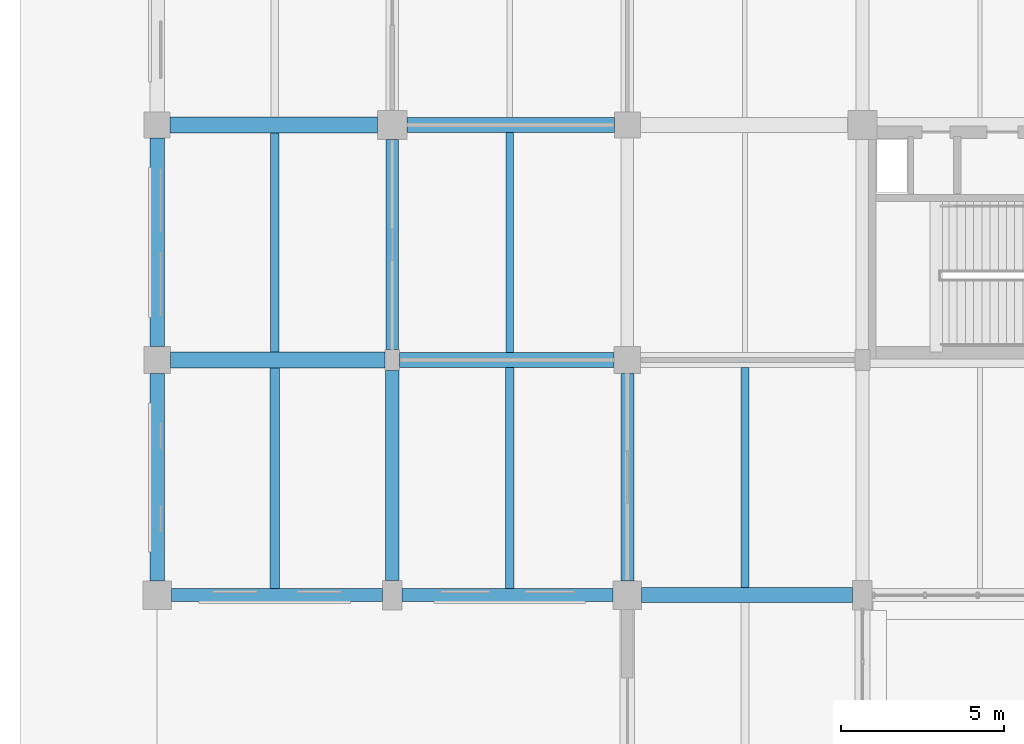
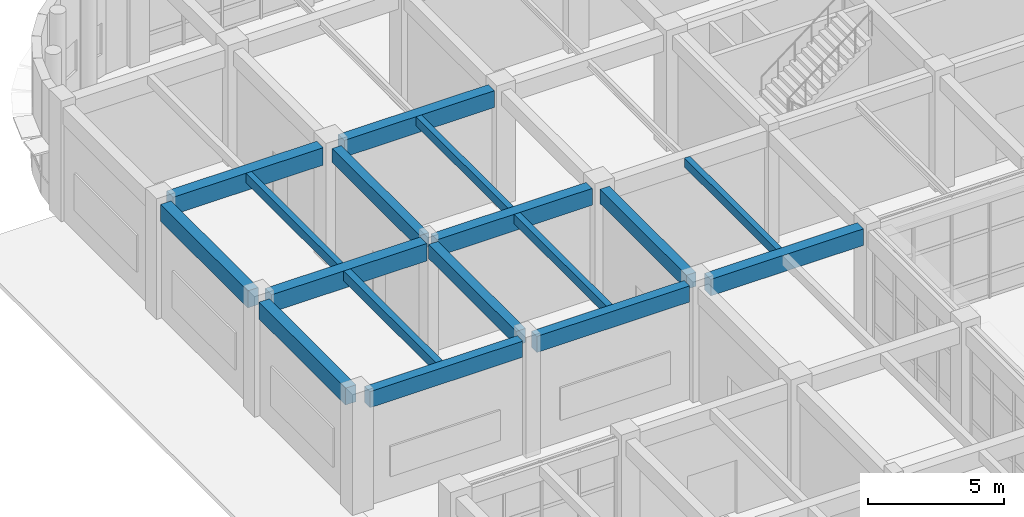
# One storey, part 53 of 160: 17 beams.
"""IFC4 building model written with IfcOpenShell, lengths in metres."""

from ifc_helpers import new_model, si_unit, direction, frame, origin, origin_2d, place, context, subcontext, project, spatial, rectangle, extrude, material, material_profile, profile_set, type_object, element, save


model = new_model("IFC4")

# Units and contexts
model_context = context("Model", 3, precision=1e-05, world=origin(), true_north=direction((0.0, 1.0)))
body_context = subcontext(model_context, "Body", "Model", "MODEL_VIEW")
ifc_project = project(units=[si_unit("LENGTHUNIT", "METRE"), si_unit("AREAUNIT", "SQUARE_METRE"), si_unit("VOLUMEUNIT", "CUBIC_METRE"), si_unit("PLANEANGLEUNIT", "RADIAN"), si_unit("MASSUNIT", "GRAM", prefix="KILO")], contexts=[model_context])

# Site, building, storey
site_placement = place(None, origin())
site = spatial("IfcSite", under=ifc_project, at=site_placement, CompositionType="ELEMENT")
building_placement = place(site_placement, origin())
building = spatial("IfcBuilding", under=site, at=building_placement, Name="Thalmaran Polytechnic", CompositionType="ELEMENT")
storey_placement = place(building_placement, origin())
storey = spatial("IfcBuildingStorey", under=building, at=storey_placement, Name="L00", CompositionType="ELEMENT", Elevation=0.0)

# Beams
ifc_material = material(Name="Concrete C40/50", Category="concrete")
ifc_material_profile_1 = material_profile(ifc_material, rectangle(XDim=0.449951171875, YDim=0.75, at=origin_2d()), Name="RC 450x750")
ifc_profile_set_1 = profile_set([ifc_material_profile_1], Name="Concrete C40/50")
beam_type_1 = type_object("IfcBeamType", Name="BM-RC03", PredefinedType="BEAM", material=ifc_profile_set_1)
beam_1_placement = place(storey_placement, frame((7.425048828125, 100.800048828125, 4.715087890625), z_axis=(1.0, 0.0, 0.0), x_axis=(0.0, 1.0, 0.0)))
element("IfcBeam", 1, at=beam_1_placement, inside=storey, type_object=beam_type_1, Name="Grid Beam B03 L00 X(1,14)", PredefinedType="BEAM", context=body_context, shape_type="SweptSolid", body=[
    extrude(rectangle(XDim=0.449951171875, YDim=0.75, at=origin_2d()), origin(), (0.0, 0.0, 1.0), 6.56494140625),
])
beam_2_placement = place(storey_placement, frame((7.64990234375, 108.0, 4.715087890625), z_axis=(1.0, 0.0, 0.0), x_axis=(0.0, 1.0, 0.0)))
element("IfcBeam", 2, at=beam_2_placement, inside=storey, type_object=beam_type_1, Name="Grid Beam B03 L00 X(1,15)", PredefinedType="BEAM", context=body_context, shape_type="SweptSolid", body=[
    extrude(rectangle(XDim=0.449951171875, YDim=0.75, at=origin_2d()), origin(), (0.0, 0.0, 1.0), 6.35009765625),
])
ifc_material_profile_2 = material_profile(ifc_material, rectangle(XDim=0.39990234375, YDim=0.6298828125, at=origin_2d()), Name="RC 400x630")
ifc_profile_set_2 = profile_set([ifc_material_profile_2], Name="Concrete C40/50")
beam_type_2 = type_object("IfcBeamType", Name="BM-RC07", PredefinedType="BEAM", material=ifc_profile_set_2)
beam_3_placement = place(storey_placement, frame((7.199951171875, 94.050048828125, 4.77490234375), z_axis=(0.0, 1.0, 0.0), x_axis=(-1.0, 0.0, 0.0)))
element("IfcBeam", 3, at=beam_3_placement, inside=storey, type_object=beam_type_2, Name="Grid Beam B07 L00 Y(1,13)", PredefinedType="BEAM", context=body_context, shape_type="SweptSolid", body=[
    extrude(rectangle(XDim=0.39990234375, YDim=0.6298828125, at=origin_2d()), origin(), (0.0, 0.0, 1.0), 6.425048828125),
])
beam_4_placement = place(storey_placement, frame((14.39990234375, 94.0400390625, 4.77490234375), z_axis=(0.0, 1.0, 0.0), x_axis=(-1.0, 0.0, 0.0)))
element("IfcBeam", 4, at=beam_4_placement, inside=storey, type_object=beam_type_2, Name="Grid Beam B07 L00 Y(2,13)", PredefinedType="BEAM", context=body_context, shape_type="SweptSolid", body=[
    extrude(rectangle(XDim=0.39990234375, YDim=0.6298828125, at=origin_2d()), origin(), (0.0, 0.0, 1.0), 6.349853515625),
])
ifc_material_profile_3 = material_profile(ifc_material, rectangle(XDim=0.280029296875, YDim=0.449951171875, at=origin_2d()), Name="RC 280x450")
ifc_profile_set_3 = profile_set([ifc_material_profile_3], Name="Concrete C40/50")
beam_type_3 = type_object("IfcBeamType", Name="BM-RC13", PredefinedType="JOIST", material=ifc_profile_set_3)
beam_5_placement = place(storey_placement, frame((3.60009765625, 93.800048828125, 4.864990234375), z_axis=(0.0, 1.0, 0.0), x_axis=(-1.0, 0.0, 0.0)))
element("IfcBeam", 5, at=beam_5_placement, inside=storey, type_object=beam_type_3, Name="Secondary Floor Rib RB03 L00 (0,13)", PredefinedType="JOIST", context=body_context, shape_type="SweptSolid", body=[
    extrude(rectangle(XDim=0.280029296875, YDim=0.449951171875, at=origin_2d()), origin(), (0.0, 0.0, 1.0), 6.760009765625),
])
ifc_material_profile_4 = material_profile(ifc_material, rectangle(XDim=0.39990234375, YDim=0.719970703125, at=origin_2d()), Name="RC 400x720")
ifc_profile_set_4 = profile_set([ifc_material_profile_4], Name="Concrete C40/50")
beam_type_4 = type_object("IfcBeamType", Name="BM-SP01", PredefinedType="SPANDREL", material=ifc_profile_set_4)
for number, where, z_axis, x_axis, name in (
    (6, (0.43994140625, 93.60009765625, 4.72998046875), (1.0, 0.0, 0.0), (0.0, 1.0, 0.0), "Grid Beam SP01 L00 X(0,13)"),
    (7, (7.5, 93.60009765625, 4.72998046875), (1.0, 0.0, 0.0), (0.0, 1.0, 0.0), "Grid Beam SP01 L00 X(1,13)"),
):
    element("IfcBeam", number, at=place(storey_placement, frame(where, z_axis=z_axis, x_axis=x_axis)), inside=storey, type_object=beam_type_4, Name=name, PredefinedType="SPANDREL", context=body_context, shape_type="SweptSolid", body=[
        extrude(rectangle(XDim=0.39990234375, YDim=0.719970703125, at=origin_2d()), origin(), (0.0, 0.0, 1.0), 6.4599609375),
    ])
ifc_material_profile_5 = material_profile(ifc_material, rectangle(XDim=0.449951171875, YDim=0.7548828125, at=origin_2d()), Name="RC 450x755")
ifc_profile_set_5 = profile_set([ifc_material_profile_5], Name="Concrete C40/50")
beam_type_5 = type_object("IfcBeamType", Name="BM-SP02", PredefinedType="SPANDREL", material=ifc_profile_set_5)
beam_6_placement = place(storey_placement, frame((0.0, 94.0400390625, 4.71240234375), z_axis=(0.0, 1.0, 0.0), x_axis=(-1.0, 0.0, 0.0)))
element("IfcBeam", 8, at=beam_6_placement, inside=storey, type_object=beam_type_5, Name="Grid Beam SP02 L00 Y(0,13)", PredefinedType="SPANDREL", context=body_context, shape_type="SweptSolid", body=[
    extrude(rectangle(XDim=0.449951171875, YDim=0.7548828125, at=origin_2d()), origin(), (0.0, 0.0, 1.0), 6.349853515625),
])
beam_7_placement = place(storey_placement, frame((0.0, 101.2099609375, 4.71240234375), z_axis=(0.0, 1.0, 0.0), x_axis=(-1.0, 0.0, 0.0)))
element("IfcBeam", 9, at=beam_7_placement, inside=storey, type_object=beam_type_5, Name="Grid Beam SP02 L00 Y(0,14)", PredefinedType="SPANDREL", context=body_context, shape_type="SweptSolid", body=[
    extrude(rectangle(XDim=0.449951171875, YDim=0.7548828125, at=origin_2d()), origin(), (0.0, 0.0, 1.0), 6.39013671875),
])
ifc_material_profile_6 = material_profile(ifc_material, rectangle(XDim=0.47998046875, YDim=0.780029296875, at=origin_2d()), Name="RC 480x780")
ifc_profile_set_6 = profile_set([ifc_material_profile_6], Name="Concrete C40/50")
beam_type_6 = type_object("IfcBeamType", Name="BM-ZB01", PredefinedType="BEAM", material=ifc_profile_set_6)
beam_8_placement = place(storey_placement, frame((0.409912109375, 100.800048828125, 4.699951171875), z_axis=(1.0, 0.0, 0.0), x_axis=(0.0, 1.0, 0.0)))
element("IfcBeam", 10, at=beam_8_placement, inside=storey, type_object=beam_type_6, Name="Grid Beam ZB01 L00 X(0,14)", PredefinedType="BEAM", context=body_context, shape_type="SweptSolid", body=[
    extrude(rectangle(XDim=0.47998046875, YDim=0.780029296875, at=origin_2d()), origin(), (0.0, 0.0, 1.0), 6.565185546875),
])
beam_9_placement = place(storey_placement, frame((0.39990234375, 108.0, 4.699951171875), z_axis=(1.0, 0.0, 0.0), x_axis=(0.0, 1.0, 0.0)))
element("IfcBeam", 11, at=beam_9_placement, inside=storey, type_object=beam_type_6, Name="Grid Beam ZB01 L00 X(0,15)", PredefinedType="BEAM", context=body_context, shape_type="SweptSolid", body=[
    extrude(rectangle(XDim=0.47998046875, YDim=0.780029296875, at=origin_2d()), origin(), (0.0, 0.0, 1.0), 6.35009765625),
])
ifc_material_profile_7 = material_profile(ifc_material, rectangle(XDim=0.4599609375, YDim=0.739990234375, at=origin_2d()), Name="RC 460x740")
ifc_profile_set_7 = profile_set([ifc_material_profile_7], Name="Concrete C40/50")
beam_type_7 = type_object("IfcBeamType", Name="BM-ZB02", PredefinedType="BEAM", material=ifc_profile_set_7)
beam_10_placement = place(storey_placement, frame((14.840087890625, 93.60009765625, 4.719970703125), z_axis=(1.0, 0.0, 0.0), x_axis=(0.0, 1.0, 0.0)))
element("IfcBeam", 12, at=beam_10_placement, inside=storey, type_object=beam_type_7, Name="Grid Beam ZB02 L00 X(2,13)", PredefinedType="BEAM", context=body_context, shape_type="SweptSolid", body=[
    extrude(rectangle(XDim=0.4599609375, YDim=0.739990234375, at=origin_2d()), origin(), (0.0, 0.0, 1.0), 6.4599609375),
])
ifc_material_profile_8 = material_profile(ifc_material, rectangle(XDim=0.3798828125, YDim=0.635009765625, at=origin_2d()), Name="RC 380x635")
ifc_profile_set_8 = profile_set([ifc_material_profile_8], Name="Concrete C40/50")
beam_type_8 = type_object("IfcBeamType", Name="BM-ZB06", PredefinedType="BEAM", material=ifc_profile_set_8)
beam_11_placement = place(storey_placement, frame((7.199951171875, 101.125, 4.7724609375), z_axis=(0.0, 1.0, 0.0), x_axis=(-1.0, 0.0, 0.0)))
element("IfcBeam", 13, at=beam_11_placement, inside=storey, type_object=beam_type_8, Name="Grid Beam ZB06 L00 Y(1,14)", PredefinedType="BEAM", context=body_context, shape_type="SweptSolid", body=[
    extrude(rectangle(XDim=0.3798828125, YDim=0.635009765625, at=origin_2d()), origin(), (0.0, 0.0, 1.0), 6.425048828125),
])
ifc_material_profile_9 = material_profile(ifc_material, rectangle(XDim=0.25, YDim=0.419921875, at=origin_2d()), Name="RC 250x420")
ifc_profile_set_9 = profile_set([ifc_material_profile_9], Name="Concrete C40/50")
beam_type_9 = type_object("IfcBeamType", Name="BM-ZJ03", PredefinedType="JOIST", material=ifc_profile_set_9)
beam_12_placement = place(storey_placement, frame((3.60009765625, 101.0400390625, 4.8798828125), z_axis=(0.0, 1.0, 0.0), x_axis=(-1.0, 0.0, 0.0)))
element("IfcBeam", 14, at=beam_12_placement, inside=storey, type_object=beam_type_9, Name="Secondary Floor Rib ZJ03 L00 (0,14)", PredefinedType="JOIST", context=body_context, shape_type="SweptSolid", body=[
    extrude(rectangle(XDim=0.25, YDim=0.419921875, at=origin_2d()), origin(), (0.0, 0.0, 1.0), 6.719970703125),
])
beam_13_placement = place(storey_placement, frame((10.800048828125, 93.800048828125, 4.8798828125), z_axis=(0.0, 1.0, 0.0), x_axis=(-1.0, 0.0, 0.0)))
element("IfcBeam", 15, at=beam_13_placement, inside=storey, type_object=beam_type_9, Name="Secondary Floor Rib ZJ03 L00 (1,13)", PredefinedType="JOIST", context=body_context, shape_type="SweptSolid", body=[
    extrude(rectangle(XDim=0.25, YDim=0.419921875, at=origin_2d()), origin(), (0.0, 0.0, 1.0), 6.77490234375),
])
ifc_material_profile_10 = material_profile(ifc_material, rectangle(XDim=0.239990234375, YDim=0.39990234375, at=origin_2d()), Name="RC 240x400")
ifc_profile_set_10 = profile_set([ifc_material_profile_10], Name="Concrete C40/50")
beam_type_10 = type_object("IfcBeamType", Name="BM-ZJ04", PredefinedType="JOIST", material=ifc_profile_set_10)
beam_14_placement = place(storey_placement, frame((10.800048828125, 101.02490234375, 4.889892578125), z_axis=(0.0, 1.0, 0.0), x_axis=(-1.0, 0.0, 0.0)))
element("IfcBeam", 16, at=beam_14_placement, inside=storey, type_object=beam_type_10, Name="Secondary Floor Rib ZJ04 L00 (1,14)", PredefinedType="JOIST", context=body_context, shape_type="SweptSolid", body=[
    extrude(rectangle(XDim=0.239990234375, YDim=0.39990234375, at=origin_2d()), origin(), (0.0, 0.0, 1.0), 6.75),
])
beam_15_placement = place(storey_placement, frame((18.0, 93.830078125, 4.889892578125), z_axis=(0.0, 1.0, 0.0), x_axis=(-1.0, 0.0, 0.0)))
element("IfcBeam", 17, at=beam_15_placement, inside=storey, type_object=beam_type_10, Name="Secondary Floor Rib ZJ04 L00 (2,13)", PredefinedType="JOIST", context=body_context, shape_type="SweptSolid", body=[
    extrude(rectangle(XDim=0.239990234375, YDim=0.39990234375, at=origin_2d()), origin(), (0.0, 0.0, 1.0), 6.739990234375),
])

save(model, "model.ifc")
